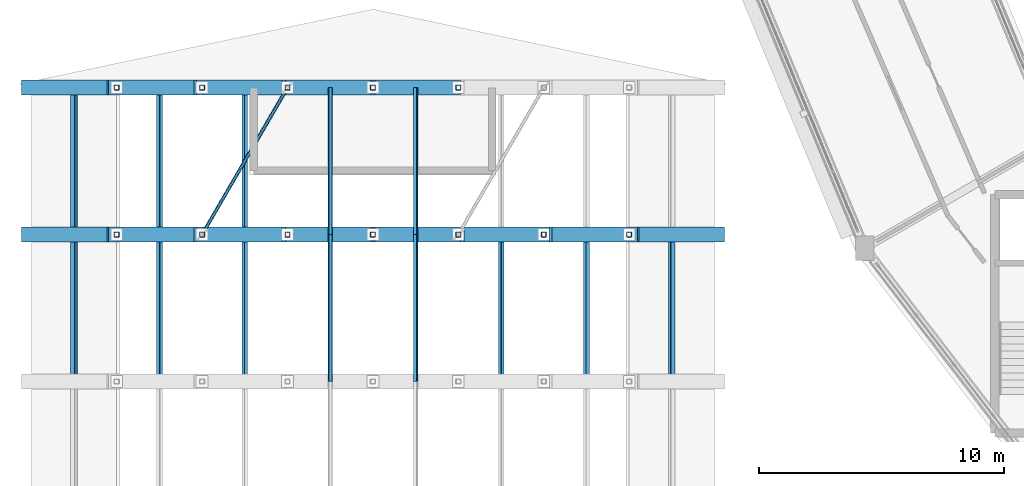
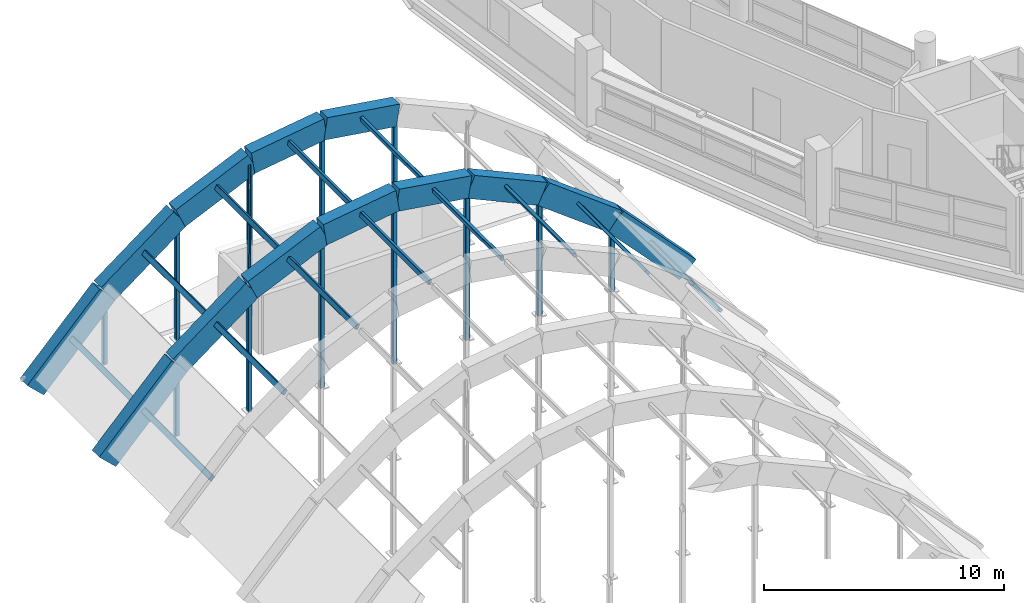
# One storey, part 12 of 88: 26 members, 13 beams.
"""IFC4 building model written with IfcOpenShell, lengths in metres."""

from ifc_helpers import new_model, si_unit, direction, frame, origin, origin_2d, place, context, subcontext, project, spatial, rectangle, hollow_rectangle, hollow_circle, extrude, material, material_profile, profile_set, type_object, element, save


model = new_model("IFC4")

# Units and contexts
model_context = context("Model", 3, precision=1e-05, world=origin(), true_north=direction((0.0, 1.0)))
body_context = subcontext(model_context, "Body", "Model", "MODEL_VIEW")
ifc_project = project(units=[si_unit("LENGTHUNIT", "METRE"), si_unit("AREAUNIT", "SQUARE_METRE"), si_unit("VOLUMEUNIT", "CUBIC_METRE"), si_unit("PLANEANGLEUNIT", "RADIAN"), si_unit("MASSUNIT", "GRAM", prefix="KILO")], contexts=[model_context])

# Site, building, storey
site_placement = place(None, origin())
site = spatial("IfcSite", under=ifc_project, at=site_placement, CompositionType="ELEMENT")
building_placement = place(site_placement, origin())
building = spatial("IfcBuilding", under=site, at=building_placement, Name="Vespera Passage Community Centre", CompositionType="ELEMENT")
storey_placement = place(building_placement, frame((0.0, 0.0, 16.5)))
storey = spatial("IfcBuildingStorey", under=building, at=storey_placement, Name="L04", CompositionType="ELEMENT", Elevation=16.5)

# Beams
ifc_material_1 = material(Name="Concrete f'c 45 MPa", Category="concrete")
ifc_material_profile_1 = material_profile(ifc_material_1, rectangle(XDim=0.60009765625, YDim=1.10009765625, at=origin_2d()), Name="RC600X1100")
ifc_profile_set_1 = profile_set([ifc_material_profile_1], Name="Concrete f'c 45 MPa")
beam_type = type_object("IfcBeamType", Name="BM-AR-600X1100", PredefinedType="USERDEFINED", material=ifc_profile_set_1)
beam_1_placement = place(storey_placement, frame((4.050048828125, 43.0, -0.550048828125), z_axis=(0.688360568967, 0.0, 0.725368683561), x_axis=(0.0, 1.0, 0.0)))
element("IfcBeam", 1, at=beam_1_placement, inside=storey, type_object=beam_type, Name="Main Hall Barrel Vault Arch Rib AR7 Seg 1", ObjectType="ARCH RIB", PredefinedType="USERDEFINED", context=body_context, shape_type="SweptSolid", body=[
    extrude(rectangle(XDim=0.60009765625, YDim=1.10009765625, at=origin_2d()), origin(), (0.0, 0.0, 1.0), 5.06640625),
])
beam_2_placement = place(storey_placement, frame((7.53759765625, 43.0, 3.125), z_axis=(0.798951709852, 0.0, 0.601395182325), x_axis=(0.0, 1.0, 0.0)))
element("IfcBeam", 2, at=beam_2_placement, inside=storey, type_object=beam_type, Name="Main Hall Barrel Vault Arch Rib AR7 Seg 2", ObjectType="ARCH RIB", PredefinedType="USERDEFINED", context=body_context, shape_type="SweptSolid", body=[
    extrude(rectangle(XDim=0.60009765625, YDim=1.10009765625, at=origin_2d()), origin(), (0.0, 0.0, 1.0), 4.36474609375),
])
beam_3_placement = place(storey_placement, frame((11.02490234375, 43.0, 5.75), z_axis=(0.911377547456, 0.0, 0.411571337672), x_axis=(0.0, 1.0, 0.0)))
element("IfcBeam", 3, at=beam_3_placement, inside=storey, type_object=beam_type, Name="Main Hall Barrel Vault Arch Rib AR7 Seg 3", ObjectType="ARCH RIB", PredefinedType="USERDEFINED", context=body_context, shape_type="SweptSolid", body=[
    extrude(rectangle(XDim=0.60009765625, YDim=1.10009765625, at=origin_2d()), origin(), (0.0, 0.0, 1.0), 3.82666015625),
])
for number, where, z_axis, x_axis, name in (
    (4, (14.512451171875, 43.0, 7.324951171875), (0.988852416544, 0.0, 0.148898953307), (0.0, 1.0, 0.0), "Main Hall Barrel Vault Arch Rib AR7 Seg 4"),
    (5, (18.0, 43.0, 7.85009765625), (0.988852416544, 0.0, -0.148898953307), (0.0, 1.0, 0.0), "Main Hall Barrel Vault Arch Rib AR7 Seg 5"),
):
    element("IfcBeam", number, at=place(storey_placement, frame(where, z_axis=z_axis, x_axis=x_axis)), inside=storey, type_object=beam_type, Name=name, ObjectType="ARCH RIB", PredefinedType="USERDEFINED", context=body_context, shape_type="SweptSolid", body=[
        extrude(rectangle(XDim=0.60009765625, YDim=1.10009765625, at=origin_2d()), origin(), (0.0, 0.0, 1.0), 3.52685546875),
    ])
beam_4_placement = place(storey_placement, frame((21.487548828125, 43.0, 7.324951171875), z_axis=(0.911377547456, 0.0, -0.411571337672), x_axis=(0.0, 1.0, 0.0)))
element("IfcBeam", 6, at=beam_4_placement, inside=storey, type_object=beam_type, Name="Main Hall Barrel Vault Arch Rib AR7 Seg 6", ObjectType="ARCH RIB", PredefinedType="USERDEFINED", context=body_context, shape_type="SweptSolid", body=[
    extrude(rectangle(XDim=0.60009765625, YDim=1.10009765625, at=origin_2d()), origin(), (0.0, 0.0, 1.0), 3.82666015625),
])
beam_5_placement = place(storey_placement, frame((24.97509765625, 43.0, 5.75), z_axis=(0.798951709852, 0.0, -0.601395182325), x_axis=(0.0, 1.0, 0.0)))
element("IfcBeam", 7, at=beam_5_placement, inside=storey, type_object=beam_type, Name="Main Hall Barrel Vault Arch Rib AR7 Seg 7", ObjectType="ARCH RIB", PredefinedType="USERDEFINED", context=body_context, shape_type="SweptSolid", body=[
    extrude(rectangle(XDim=0.60009765625, YDim=1.10009765625, at=origin_2d()), origin(), (0.0, 0.0, 1.0), 4.36474609375),
])
for number, where, z_axis, x_axis, name in (
    (8, (28.46240234375, 43.0, 3.125), (0.688360568967, 0.0, -0.725368683561), (0.0, 1.0, 0.0), "Main Hall Barrel Vault Arch Rib AR7 Seg 8"),
    (9, (4.050048828125, 49.0, -0.550048828125), (0.688360568967, 0.0, 0.725368683561), (0.0, 1.0, 0.0), "Main Hall Barrel Vault Arch Rib AR8 Seg 1"),
):
    element("IfcBeam", number, at=place(storey_placement, frame(where, z_axis=z_axis, x_axis=x_axis)), inside=storey, type_object=beam_type, Name=name, ObjectType="ARCH RIB", PredefinedType="USERDEFINED", context=body_context, shape_type="SweptSolid", body=[
        extrude(rectangle(XDim=0.60009765625, YDim=1.10009765625, at=origin_2d()), origin(), (0.0, 0.0, 1.0), 5.06640625),
    ])
beam_6_placement = place(storey_placement, frame((7.53759765625, 49.0, 3.125), z_axis=(0.798951709852, 0.0, 0.601395182325), x_axis=(0.0, 1.0, 0.0)))
element("IfcBeam", 10, at=beam_6_placement, inside=storey, type_object=beam_type, Name="Main Hall Barrel Vault Arch Rib AR8 Seg 2", ObjectType="ARCH RIB", PredefinedType="USERDEFINED", context=body_context, shape_type="SweptSolid", body=[
    extrude(rectangle(XDim=0.60009765625, YDim=1.10009765625, at=origin_2d()), origin(), (0.0, 0.0, 1.0), 4.36474609375),
])
beam_7_placement = place(storey_placement, frame((11.02490234375, 49.0, 5.75), z_axis=(0.911377547456, 0.0, 0.411571337672), x_axis=(0.0, 1.0, 0.0)))
element("IfcBeam", 11, at=beam_7_placement, inside=storey, type_object=beam_type, Name="Main Hall Barrel Vault Arch Rib AR8 Seg 3", ObjectType="ARCH RIB", PredefinedType="USERDEFINED", context=body_context, shape_type="SweptSolid", body=[
    extrude(rectangle(XDim=0.60009765625, YDim=1.10009765625, at=origin_2d()), origin(), (0.0, 0.0, 1.0), 3.82666015625),
])
for number, where, z_axis, x_axis, name in (
    (12, (14.512451171875, 49.0, 7.324951171875), (0.988852416544, 0.0, 0.148898953307), (0.0, 1.0, 0.0), "Main Hall Barrel Vault Arch Rib AR8 Seg 4"),
    (13, (18.0, 49.0, 7.85009765625), (0.988852416544, 0.0, -0.148898953307), (0.0, 1.0, 0.0), "Main Hall Barrel Vault Arch Rib AR8 Seg 5"),
):
    element("IfcBeam", number, at=place(storey_placement, frame(where, z_axis=z_axis, x_axis=x_axis)), inside=storey, type_object=beam_type, Name=name, ObjectType="ARCH RIB", PredefinedType="USERDEFINED", context=body_context, shape_type="SweptSolid", body=[
        extrude(rectangle(XDim=0.60009765625, YDim=1.10009765625, at=origin_2d()), origin(), (0.0, 0.0, 1.0), 3.52685546875),
    ])

# Members
ifc_material_2 = material(Name="Steel ASTM A500 Grade C", Category="steel")
ifc_material_profile_2 = material_profile(ifc_material_2, hollow_rectangle(XDim=0.15234375, YDim=0.25390625, WallThickness=0.01171875, InnerFilletRadius=0.01171875, OuterFilletRadius=0.023681640625, at=origin_2d()), Name="HSS254X152X12.7")
ifc_profile_set_2 = profile_set([ifc_material_profile_2], Name="Steel ASTM A500 Grade C")
member_type_1 = type_object("IfcMemberType", Name="MB-PR-HSS254X152", PredefinedType="PURLIN", material=ifc_profile_set_2)
for number, where, z_axis, x_axis, name in (
    (14, (5.793701171875, 37.0, 1.46044921875), (0.0, 1.0, 0.0), (-0.688354575694, 0.0, 0.725374371012), "Main Hall Vault Purlin B6.1"),
    (15, (9.28125, 37.0, 4.610595703125), (0.0, 1.0, 0.0), (-0.798971502388, 0.0, 0.6013688871), "Main Hall Vault Purlin B6.2"),
    (16, (12.768798828125, 37.0, 6.71044921875), (0.0, 1.0, 0.0), (-0.911367361763, 0.0, 0.411593891978), "Main Hall Vault Purlin B6.3"),
    (17, (16.25634765625, 37.0, 7.760498046875), (0.0, 1.0, 0.0), (-0.988857937462, 0.0, 0.148862283734), "Main Hall Vault Purlin B6.4"),
    (18, (19.74365234375, 37.0, 7.760498046875), (0.0, 1.0, 0.0), (-0.988857937462, 0.0, -0.148862283734), "Main Hall Vault Purlin B6.5"),
    (19, (23.231201171875, 37.0, 6.71044921875), (0.0, 1.0, 0.0), (-0.911367361763, 0.0, -0.411593891978), "Main Hall Vault Purlin B6.6"),
    (20, (26.71875, 37.0, 4.610595703125), (0.0, 1.0, 0.0), (-0.798971502388, 0.0, -0.6013688871), "Main Hall Vault Purlin B6.7"),
    (21, (30.206298828125, 37.0, 1.46044921875), (0.0, 1.0, 0.0), (-0.688354575694, 0.0, -0.725374371012), "Main Hall Vault Purlin B6.8"),
    (22, (5.793701171875, 43.0, 1.46044921875), (0.0, 1.0, 0.0), (-0.688354575694, 0.0, 0.725374371012), "Main Hall Vault Purlin B7.1"),
    (23, (9.28125, 43.0, 4.610595703125), (0.0, 1.0, 0.0), (-0.798971502388, 0.0, 0.6013688871), "Main Hall Vault Purlin B7.2"),
    (24, (12.768798828125, 43.0, 6.71044921875), (0.0, 1.0, 0.0), (-0.911367361763, 0.0, 0.411593891978), "Main Hall Vault Purlin B7.3"),
    (25, (16.25634765625, 43.0, 7.760498046875), (0.0, 1.0, 0.0), (-0.988857937462, 0.0, 0.148862283734), "Main Hall Vault Purlin B7.4"),
    (26, (19.74365234375, 43.0, 7.760498046875), (0.0, 1.0, 0.0), (-0.988857937462, 0.0, -0.148862283734), "Main Hall Vault Purlin B7.5"),
):
    element("IfcMember", number, at=place(storey_placement, frame(where, z_axis=z_axis, x_axis=x_axis)), inside=storey, type_object=member_type_1, Name=name, PredefinedType="PURLIN", context=body_context, shape_type="SweptSolid", body=[
        extrude(hollow_rectangle(XDim=0.15234375, YDim=0.25390625, WallThickness=0.01171875, InnerFilletRadius=0.01171875, OuterFilletRadius=0.023681640625, at=origin_2d()), origin(), (0.0, 0.0, 1.0), 6.0),
    ])
ifc_material_3 = material(Name="Steel ASTM A500 Grade C", Category="steel")
ifc_material_profile_3 = material_profile(ifc_material_3, hollow_rectangle(XDim=0.203125, YDim=0.203125, WallThickness=0.01171875, InnerFilletRadius=0.01171875, OuterFilletRadius=0.023681640625, at=origin_2d()), Name="HSS203X203X12.7")
ifc_profile_set_3 = profile_set([ifc_material_profile_3], Name="Steel ASTM A500 Grade C")
member_type_2 = type_object("IfcMemberType", Name="SS-203", PredefinedType="STRUT", material=ifc_profile_set_3)
member_1_placement = place(storey_placement, frame((7.53759765625, 43.0, -0.58544921875), z_axis=(0.0, 0.0, 1.0), x_axis=(1.0, 0.0, 0.0)))
element("IfcMember", 27, at=member_1_placement, inside=storey, type_object=member_type_2, Name="Main Hall Arch Rib AR7 Bowstring Post 1", PredefinedType="STRUT", context=body_context, shape_type="SweptSolid", body=[
    extrude(hollow_rectangle(XDim=0.203125, YDim=0.203125, WallThickness=0.01171875, InnerFilletRadius=0.01171875, OuterFilletRadius=0.023681640625, at=origin_2d()), origin(), (0.0, 0.0, 1.0), 3.71044921875),
])
member_2_placement = place(storey_placement, frame((11.02490234375, 43.0, -0.58544921875), z_axis=(0.0, 0.0, 1.0), x_axis=(1.0, 0.0, 0.0)))
element("IfcMember", 28, at=member_2_placement, inside=storey, type_object=member_type_2, Name="Main Hall Arch Rib AR7 Bowstring Post 2", PredefinedType="STRUT", context=body_context, shape_type="SweptSolid", body=[
    extrude(hollow_rectangle(XDim=0.203125, YDim=0.203125, WallThickness=0.01171875, InnerFilletRadius=0.01171875, OuterFilletRadius=0.023681640625, at=origin_2d()), origin(), (0.0, 0.0, 1.0), 6.33544921875),
])
member_3_placement = place(storey_placement, frame((14.512451171875, 43.0, -0.58544921875), z_axis=(0.0, 0.0, 1.0), x_axis=(1.0, 0.0, 0.0)))
element("IfcMember", 29, at=member_3_placement, inside=storey, type_object=member_type_2, Name="Main Hall Arch Rib AR7 Bowstring Post 3", PredefinedType="STRUT", context=body_context, shape_type="SweptSolid", body=[
    extrude(hollow_rectangle(XDim=0.203125, YDim=0.203125, WallThickness=0.01171875, InnerFilletRadius=0.01171875, OuterFilletRadius=0.023681640625, at=origin_2d()), origin(), (0.0, 0.0, 1.0), 7.910400390625),
])
member_4_placement = place(storey_placement, frame((18.0, 43.0, -0.58544921875), z_axis=(0.0, 0.0, 1.0), x_axis=(1.0, 0.0, 0.0)))
element("IfcMember", 30, at=member_4_placement, inside=storey, type_object=member_type_2, Name="Main Hall Arch Rib AR7 Bowstring Post 4", PredefinedType="STRUT", context=body_context, shape_type="SweptSolid", body=[
    extrude(hollow_rectangle(XDim=0.203125, YDim=0.203125, WallThickness=0.01171875, InnerFilletRadius=0.01171875, OuterFilletRadius=0.023681640625, at=origin_2d()), origin(), (0.0, 0.0, 1.0), 8.435546875),
])
member_5_placement = place(storey_placement, frame((21.487548828125, 43.0, -0.58544921875), z_axis=(0.0, 0.0, 1.0), x_axis=(1.0, 0.0, 0.0)))
element("IfcMember", 31, at=member_5_placement, inside=storey, type_object=member_type_2, Name="Main Hall Arch Rib AR7 Bowstring Post 5", PredefinedType="STRUT", context=body_context, shape_type="SweptSolid", body=[
    extrude(hollow_rectangle(XDim=0.203125, YDim=0.203125, WallThickness=0.01171875, InnerFilletRadius=0.01171875, OuterFilletRadius=0.023681640625, at=origin_2d()), origin(), (0.0, 0.0, 1.0), 7.910400390625),
])
member_6_placement = place(storey_placement, frame((24.97509765625, 43.0, -0.58544921875), z_axis=(0.0, 0.0, 1.0), x_axis=(1.0, 0.0, 0.0)))
element("IfcMember", 32, at=member_6_placement, inside=storey, type_object=member_type_2, Name="Main Hall Arch Rib AR7 Bowstring Post 6", PredefinedType="STRUT", context=body_context, shape_type="SweptSolid", body=[
    extrude(hollow_rectangle(XDim=0.203125, YDim=0.203125, WallThickness=0.01171875, InnerFilletRadius=0.01171875, OuterFilletRadius=0.023681640625, at=origin_2d()), origin(), (0.0, 0.0, 1.0), 6.33544921875),
])
for number, where, z_axis, x_axis, name in (
    (33, (28.46240234375, 43.0, -0.58544921875), (0.0, 0.0, 1.0), (1.0, 0.0, 0.0), "Main Hall Arch Rib AR7 Bowstring Post 7"),
    (34, (7.53759765625, 49.0, -0.58544921875), (0.0, 0.0, 1.0), (1.0, 0.0, 0.0), "Main Hall Arch Rib AR8 Bowstring Post 1"),
):
    element("IfcMember", number, at=place(storey_placement, frame(where, z_axis=z_axis, x_axis=x_axis)), inside=storey, type_object=member_type_2, Name=name, PredefinedType="STRUT", context=body_context, shape_type="SweptSolid", body=[
        extrude(hollow_rectangle(XDim=0.203125, YDim=0.203125, WallThickness=0.01171875, InnerFilletRadius=0.01171875, OuterFilletRadius=0.023681640625, at=origin_2d()), origin(), (0.0, 0.0, 1.0), 3.71044921875),
    ])
member_7_placement = place(storey_placement, frame((11.02490234375, 49.0, -0.58544921875), z_axis=(0.0, 0.0, 1.0), x_axis=(1.0, 0.0, 0.0)))
element("IfcMember", 35, at=member_7_placement, inside=storey, type_object=member_type_2, Name="Main Hall Arch Rib AR8 Bowstring Post 2", PredefinedType="STRUT", context=body_context, shape_type="SweptSolid", body=[
    extrude(hollow_rectangle(XDim=0.203125, YDim=0.203125, WallThickness=0.01171875, InnerFilletRadius=0.01171875, OuterFilletRadius=0.023681640625, at=origin_2d()), origin(), (0.0, 0.0, 1.0), 6.33544921875),
])
member_8_placement = place(storey_placement, frame((14.512451171875, 49.0, -0.58544921875), z_axis=(0.0, 0.0, 1.0), x_axis=(1.0, 0.0, 0.0)))
element("IfcMember", 36, at=member_8_placement, inside=storey, type_object=member_type_2, Name="Main Hall Arch Rib AR8 Bowstring Post 3", PredefinedType="STRUT", context=body_context, shape_type="SweptSolid", body=[
    extrude(hollow_rectangle(XDim=0.203125, YDim=0.203125, WallThickness=0.01171875, InnerFilletRadius=0.01171875, OuterFilletRadius=0.023681640625, at=origin_2d()), origin(), (0.0, 0.0, 1.0), 7.910400390625),
])
member_9_placement = place(storey_placement, frame((18.0, 49.0, -0.58544921875), z_axis=(0.0, 0.0, 1.0), x_axis=(1.0, 0.0, 0.0)))
element("IfcMember", 37, at=member_9_placement, inside=storey, type_object=member_type_2, Name="Main Hall Arch Rib AR8 Bowstring Post 4", PredefinedType="STRUT", context=body_context, shape_type="SweptSolid", body=[
    extrude(hollow_rectangle(XDim=0.203125, YDim=0.203125, WallThickness=0.01171875, InnerFilletRadius=0.01171875, OuterFilletRadius=0.023681640625, at=origin_2d()), origin(), (0.0, 0.0, 1.0), 8.435546875),
])
member_10_placement = place(storey_placement, frame((21.487548828125, 49.0, -0.58544921875), z_axis=(0.0, 0.0, 1.0), x_axis=(1.0, 0.0, 0.0)))
element("IfcMember", 38, at=member_10_placement, inside=storey, type_object=member_type_2, Name="Main Hall Arch Rib AR8 Bowstring Post 5", PredefinedType="STRUT", context=body_context, shape_type="SweptSolid", body=[
    extrude(hollow_rectangle(XDim=0.203125, YDim=0.203125, WallThickness=0.01171875, InnerFilletRadius=0.01171875, OuterFilletRadius=0.023681640625, at=origin_2d()), origin(), (0.0, 0.0, 1.0), 7.910400390625),
])
ifc_material_4 = material(Name="Steel ASTM A500 Grade C", Category="steel")
ifc_material_profile_4 = material_profile(ifc_material_4, hollow_circle(Radius=0.070556640625, WallThickness=0.0087890625, at=origin_2d()), Name="CHS141X9.5")
ifc_profile_set_4 = profile_set([ifc_material_profile_4], Name="Steel ASTM A500 Grade C")
member_type_3 = type_object("IfcMemberType", Name="VB-141", PredefinedType="BRACE", material=ifc_profile_set_4)
member_11_placement = place(storey_placement, frame((11.02490234375, 43.0, 5.75), z_axis=(0.490070519088, 0.843120271411, 0.221312209915), x_axis=(-0.86455872774, 0.502531796296, 0.0)))
element("IfcMember", 39, at=member_11_placement, inside=storey, type_object=member_type_3, Name="Vault Wind Brace B7.3", PredefinedType="BRACE", context=body_context, shape_type="SweptSolid", body=[
    extrude(hollow_circle(Radius=0.070556640625, WallThickness=0.0087890625, at=origin_2d()), origin(), (0.0, 0.0, 1.0), 7.116455078125),
])

save(model, "model.ifc")
